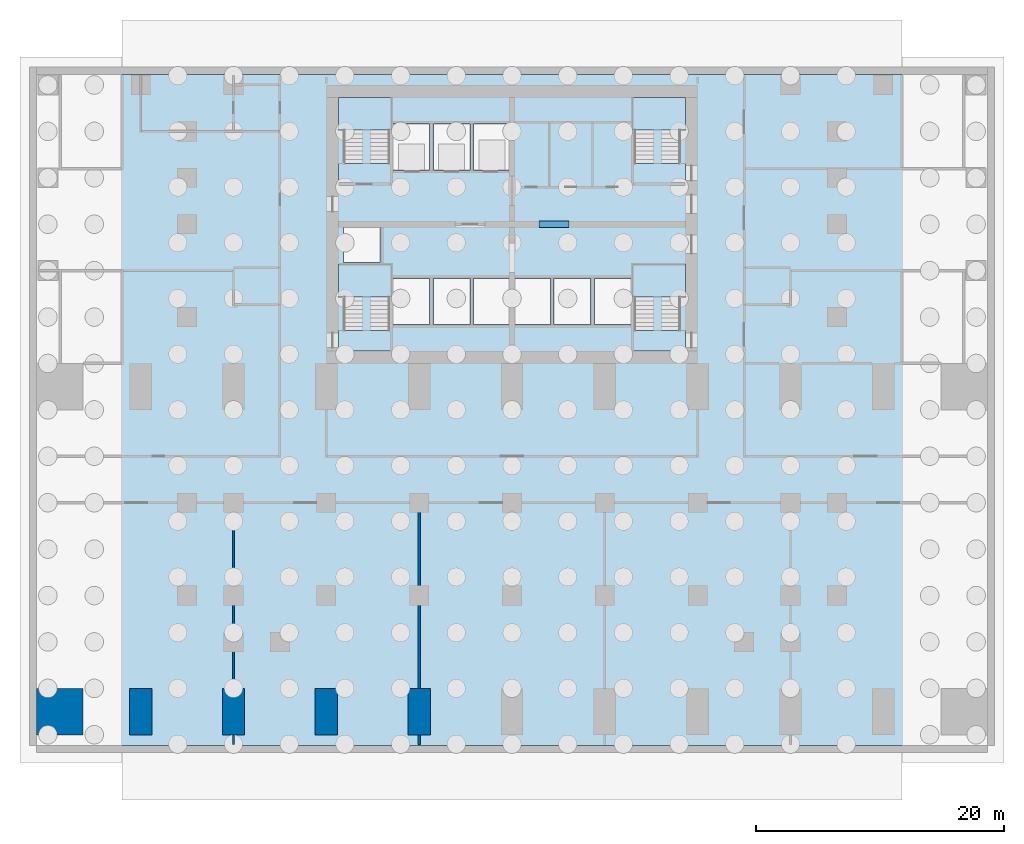
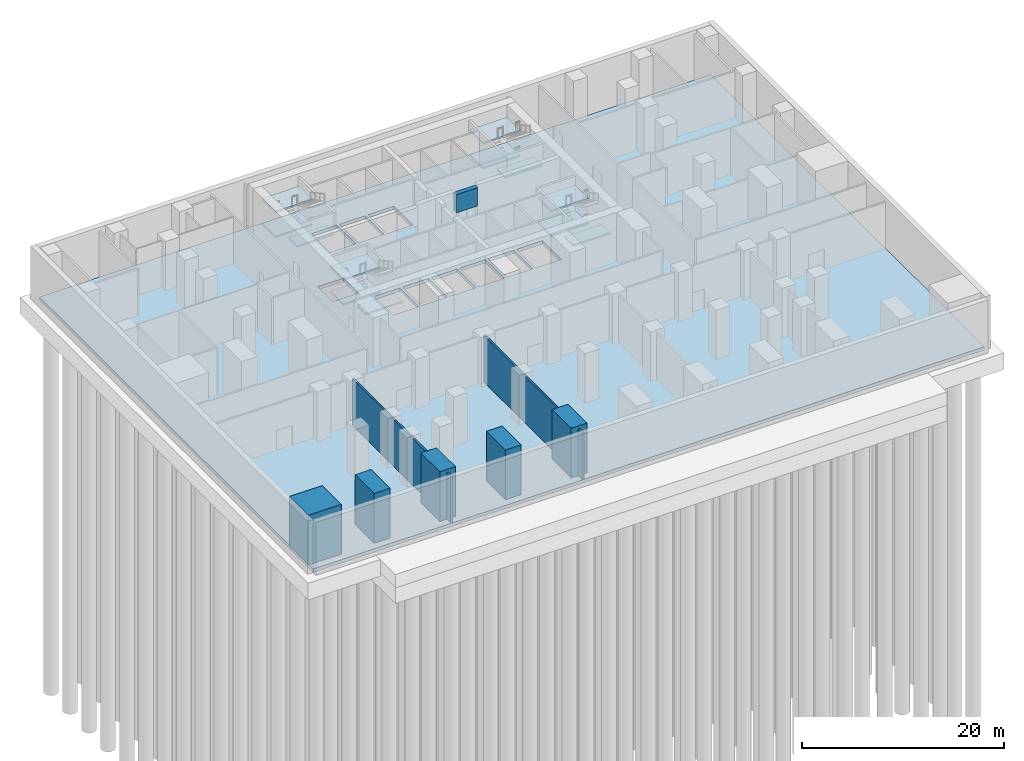
# One storey, part 2 of 9: 13 slabs, 9 walls, 1 beam, 4 elements without a shape of their own.
"""IFC4 building model written with IfcOpenShell, lengths in metres."""

from ifc_helpers import new_model, si_unit, direction, frame, frame_2d, origin, origin_2d, place, context, subcontext, project, spatial, polyline, rectangle, outline, extrude, material, layer, layer_set, material_profile, profile_set, type_object, element, aggregate, save


model = new_model("IFC4")

# Units and contexts
model_context = context("Model", 3, precision=1e-05, world=origin(), true_north=direction((0.0, 1.0)))
body_context = subcontext(model_context, "Body", "Model", "MODEL_VIEW")
ifc_project = project(units=[si_unit("LENGTHUNIT", "METRE"), si_unit("AREAUNIT", "SQUARE_METRE"), si_unit("VOLUMEUNIT", "CUBIC_METRE"), si_unit("PLANEANGLEUNIT", "RADIAN"), si_unit("MASSUNIT", "GRAM", prefix="KILO")], contexts=[model_context])

# Site, building, storey
site_placement = place(None, origin())
site = spatial("IfcSite", under=ifc_project, at=site_placement, CompositionType="ELEMENT")
building_placement = place(site_placement, origin())
building = spatial("IfcBuilding", under=site, at=building_placement, Name="Pilkhan Gate Tower", CompositionType="ELEMENT")
storey_placement = place(building_placement, frame((0.0, 0.0, -6.0)))
storey = spatial("IfcBuildingStorey", under=building, at=storey_placement, Name="B1", CompositionType="ELEMENT", Elevation=-6.0)

# Beam
ifc_material_1 = material(Name="Concrete C70/85", Category="concrete")
ifc_material_profile = material_profile(ifc_material_1, rectangle(XDim=0.5, YDim=2.199951171875, at=origin_2d()), Name="RC 500x2200")
ifc_profile_set = profile_set([ifc_material_profile], Name="Concrete C70/85")
beam_type = type_object("IfcBeamType", Name="Coupling beam CB220 RC 500x2200 C70/85", PredefinedType="LINTEL", material=ifc_profile_set)
beam_placement = place(storey_placement, frame((77.199951171875, 82.5, 4.550048828125), z_axis=(1.0, 0.0, 0.0), x_axis=(0.0, 1.0, 0.0)))
element("IfcBeam", 1, at=beam_placement, inside=storey, type_object=beam_type, Name="Coupling beam 2 B1", PredefinedType="LINTEL", context=body_context, shape_type="SweptSolid", body=[
    extrude(rectangle(XDim=0.5, YDim=2.199951171875, at=origin_2d()), origin(), (0.0, 0.0, 1.0), 2.400146484375),
])

# Slab
ifc_material_2 = material(Name="Concrete C40/50", Category="concrete")
ifc_layer_1 = layer(ifc_material_2, 0.39990234375)
ifc_layer_set_1 = layer_set([ifc_layer_1], Name="Basement slab BA400")
slab_type_1 = type_object("IfcSlabType", Name="Basement slab BA400", PredefinedType="BASESLAB", material=ifc_layer_set_1)
slab_1_placement = place(storey_placement, frame((0.0, 0.0, -0.39990234375)))
element("IfcSlab", 2, at=slab_1_placement, inside=storey, type_object=slab_type_1, Name="Basement slab", PredefinedType="BASESLAB", context=body_context, shape_type="SweptSolid", body=[
    extrude(outline(polyline([(113.35009765625, 40.39990234375), (113.35009765625, 94.60009765625), (36.64990234375, 94.60009765625), (36.64990234375, 40.39990234375), (113.35009765625, 40.39990234375)]), holes=[polyline([(65.39990234375, 74.39990234375), (68.35009765625, 74.39990234375), (68.35009765625, 78.10009765625), (65.39990234375, 78.10009765625), (65.39990234375, 74.39990234375)]), polyline([(68.64990234375, 74.39990234375), (71.60009765625, 74.39990234375), (71.60009765625, 78.10009765625), (68.64990234375, 78.10009765625), (68.64990234375, 74.39990234375)]), polyline([(71.89990234375, 74.39990234375), (74.85009765625, 74.39990234375), (74.85009765625, 78.10009765625), (71.89990234375, 78.10009765625), (71.89990234375, 74.39990234375)]), polyline([(75.14990234375, 74.39990234375), (78.10009765625, 74.39990234375), (78.10009765625, 78.10009765625), (75.14990234375, 78.10009765625), (75.14990234375, 74.39990234375)]), polyline([(78.39990234375, 74.39990234375), (81.35009765625, 74.39990234375), (81.35009765625, 78.10009765625), (78.39990234375, 78.10009765625), (78.39990234375, 74.39990234375)]), polyline([(81.64990234375, 74.39990234375), (84.60009765625, 74.39990234375), (84.60009765625, 78.10009765625), (81.64990234375, 78.10009765625), (81.64990234375, 74.39990234375)]), polyline([(65.39990234375, 86.89990234375), (68.35009765625, 86.89990234375), (68.35009765625, 90.60009765625), (65.39990234375, 90.60009765625), (65.39990234375, 86.89990234375)]), polyline([(68.64990234375, 86.89990234375), (71.60009765625, 86.89990234375), (71.60009765625, 90.60009765625), (68.64990234375, 90.60009765625), (68.64990234375, 86.89990234375)]), polyline([(71.89990234375, 86.89990234375), (74.85009765625, 86.89990234375), (74.85009765625, 90.60009765625), (71.89990234375, 90.60009765625), (71.89990234375, 86.89990234375)]), polyline([(61.39990234375, 79.39990234375), (64.35009765625, 79.39990234375), (64.35009765625, 82.35009765625), (61.39990234375, 82.35009765625), (61.39990234375, 79.39990234375)])]), origin(), (0.0, 0.0, 1.0), 0.39990234375),
])

# Stair, slabs
ifc_material_3 = material(Name="Concrete C40/50 precast", Category="concrete")
stair_type_1 = type_object("IfcStairType", Name="Stair ST1 167x340", PredefinedType="HALF_TURN_STAIR", material=ifc_material_3)
stair_1_placement = place(storey_placement, origin())
stair_1 = element("IfcStair", 3, at=stair_1_placement, inside=storey, type_object=stair_type_1, Name="Stair ST1 B1", PredefinedType="HALF_TURN_STAIR")
ifc_layer_2 = layer(ifc_material_2, 0.199951171875)
ifc_layer_set_2 = layer_set([ifc_layer_2], Name="Stair landing SL200")
slab_type_2 = type_object("IfcSlabType", Name="Stair landing SL200", PredefinedType="LANDING", material=ifc_layer_set_2)
slab_2_placement = place(storey_placement, frame((0.0, 0.0, 1.300048828125)))
slab_2 = element("IfcSlab", 4, at=slab_2_placement, type_object=slab_type_2, Name="ST1 landing 1", PredefinedType="LANDING", context=body_context, shape_type="SweptSolid", body=[
    extrude(outline(polyline([(89.0, 76.6201171875), (89.0, 79.25), (84.75, 79.25), (84.75, 76.6201171875), (89.0, 76.6201171875)])), origin(), (0.0, 0.0, 1.0), 0.199951171875),
])
slab_3_placement = place(storey_placement, frame((0.0, 0.0, 2.800048828125)))
slab_3 = element("IfcSlab", 5, at=slab_3_placement, type_object=slab_type_2, Name="ST1 landing 2", PredefinedType="LANDING", context=body_context, shape_type="SweptSolid", body=[
    extrude(outline(polyline([(89.0, 72.25), (89.0, 73.89990234375), (84.75, 73.89990234375), (84.75, 72.25), (89.0, 72.25)])), origin(), (0.0, 0.0, 1.0), 0.199951171875),
])
slab_4_placement = place(storey_placement, frame((0.0, 0.0, 4.300048828125)))
slab_4 = element("IfcSlab", 6, at=slab_4_placement, type_object=slab_type_2, Name="ST1 landing 3", PredefinedType="LANDING", context=body_context, shape_type="SweptSolid", body=[
    extrude(outline(polyline([(89.0, 76.6201171875), (89.0, 79.25), (84.75, 79.25), (84.75, 76.6201171875), (89.0, 76.6201171875)])), origin(), (0.0, 0.0, 1.0), 0.199951171875),
])
aggregate(stair_1, [slab_2, slab_3, slab_4])

stair_type_2 = type_object("IfcStairType", Name="Stair ST2 167x340", PredefinedType="HALF_TURN_STAIR", material=ifc_material_3)
stair_2_placement = place(storey_placement, origin())
stair_2 = element("IfcStair", 7, at=stair_2_placement, inside=storey, type_object=stair_type_2, Name="Stair ST2 B1", PredefinedType="HALF_TURN_STAIR")
slab_5_placement = place(storey_placement, frame((0.0, 0.0, 1.300048828125)))
slab_5 = element("IfcSlab", 8, at=slab_5_placement, type_object=slab_type_2, Name="ST2 landing 1", PredefinedType="LANDING", context=body_context, shape_type="SweptSolid", body=[
    extrude(outline(polyline([(65.25, 76.6201171875), (65.25, 79.25), (61.0, 79.25), (61.0, 76.6201171875), (65.25, 76.6201171875)])), origin(), (0.0, 0.0, 1.0), 0.199951171875),
])
slab_6_placement = place(storey_placement, frame((0.0, 0.0, 2.800048828125)))
slab_6 = element("IfcSlab", 9, at=slab_6_placement, type_object=slab_type_2, Name="ST2 landing 2", PredefinedType="LANDING", context=body_context, shape_type="SweptSolid", body=[
    extrude(outline(polyline([(65.25, 72.25), (65.25, 73.89990234375), (61.0, 73.89990234375), (61.0, 72.25), (65.25, 72.25)])), origin(), (0.0, 0.0, 1.0), 0.199951171875),
])
slab_7_placement = place(storey_placement, frame((0.0, 0.0, 4.300048828125)))
slab_7 = element("IfcSlab", 10, at=slab_7_placement, type_object=slab_type_2, Name="ST2 landing 3", PredefinedType="LANDING", context=body_context, shape_type="SweptSolid", body=[
    extrude(outline(polyline([(65.25, 76.6201171875), (65.25, 79.25), (61.0, 79.25), (61.0, 76.6201171875), (65.25, 76.6201171875)])), origin(), (0.0, 0.0, 1.0), 0.199951171875),
])
aggregate(stair_2, [slab_5, slab_6, slab_7])

stair_type_3 = type_object("IfcStairType", Name="Stair ST3 167x340", PredefinedType="HALF_TURN_STAIR", material=ifc_material_3)
stair_3_placement = place(storey_placement, origin())
stair_3 = element("IfcStair", 11, at=stair_3_placement, inside=storey, type_object=stair_type_3, Name="Stair ST3 B1", PredefinedType="HALF_TURN_STAIR")
slab_8_placement = place(storey_placement, frame((0.0, 0.0, 1.300048828125)))
slab_8 = element("IfcSlab", 12, at=slab_8_placement, type_object=slab_type_2, Name="ST3 landing 1", PredefinedType="LANDING", context=body_context, shape_type="SweptSolid", body=[
    extrude(outline(polyline([(65.25, 90.1201171875), (65.25, 92.75), (61.0, 92.75), (61.0, 90.1201171875), (65.25, 90.1201171875)])), origin(), (0.0, 0.0, 1.0), 0.199951171875),
])
slab_9_placement = place(storey_placement, frame((0.0, 0.0, 2.800048828125)))
slab_9 = element("IfcSlab", 13, at=slab_9_placement, type_object=slab_type_2, Name="ST3 landing 2", PredefinedType="LANDING", context=body_context, shape_type="SweptSolid", body=[
    extrude(outline(polyline([(65.25, 85.75), (65.25, 87.39990234375), (61.0, 87.39990234375), (61.0, 85.75), (65.25, 85.75)])), origin(), (0.0, 0.0, 1.0), 0.199951171875),
])
slab_10_placement = place(storey_placement, frame((0.0, 0.0, 4.300048828125)))
slab_10 = element("IfcSlab", 14, at=slab_10_placement, type_object=slab_type_2, Name="ST3 landing 3", PredefinedType="LANDING", context=body_context, shape_type="SweptSolid", body=[
    extrude(outline(polyline([(65.25, 90.1201171875), (65.25, 92.75), (61.0, 92.75), (61.0, 90.1201171875), (65.25, 90.1201171875)])), origin(), (0.0, 0.0, 1.0), 0.199951171875),
])
aggregate(stair_3, [slab_8, slab_9, slab_10])

stair_type_4 = type_object("IfcStairType", Name="Stair ST4 167x340", PredefinedType="HALF_TURN_STAIR", material=ifc_material_3)
stair_4_placement = place(storey_placement, origin())
stair_4 = element("IfcStair", 15, at=stair_4_placement, inside=storey, type_object=stair_type_4, Name="Stair ST4 B1", PredefinedType="HALF_TURN_STAIR")
slab_11_placement = place(storey_placement, frame((0.0, 0.0, 1.300048828125)))
slab_11 = element("IfcSlab", 16, at=slab_11_placement, type_object=slab_type_2, Name="ST4 landing 1", PredefinedType="LANDING", context=body_context, shape_type="SweptSolid", body=[
    extrude(outline(polyline([(89.0, 90.1201171875), (89.0, 92.75), (84.75, 92.75), (84.75, 90.1201171875), (89.0, 90.1201171875)])), origin(), (0.0, 0.0, 1.0), 0.199951171875),
])
slab_12_placement = place(storey_placement, frame((0.0, 0.0, 2.800048828125)))
slab_12 = element("IfcSlab", 17, at=slab_12_placement, type_object=slab_type_2, Name="ST4 landing 2", PredefinedType="LANDING", context=body_context, shape_type="SweptSolid", body=[
    extrude(outline(polyline([(89.0, 85.75), (89.0, 87.39990234375), (84.75, 87.39990234375), (84.75, 85.75), (89.0, 85.75)])), origin(), (0.0, 0.0, 1.0), 0.199951171875),
])
slab_13_placement = place(storey_placement, frame((0.0, 0.0, 4.300048828125)))
slab_13 = element("IfcSlab", 18, at=slab_13_placement, type_object=slab_type_2, Name="ST4 landing 3", PredefinedType="LANDING", context=body_context, shape_type="SweptSolid", body=[
    extrude(outline(polyline([(89.0, 90.1201171875), (89.0, 92.75), (84.75, 92.75), (84.75, 90.1201171875), (89.0, 90.1201171875)])), origin(), (0.0, 0.0, 1.0), 0.199951171875),
])
aggregate(stair_4, [slab_11, slab_12, slab_13])

# Walls
ifc_layer_3 = layer(ifc_material_1, 1.800048828125)
ifc_layer_set_3 = layer_set([ifc_layer_3], Name="Arch pier AP1800 C70/85")
wall_type_1 = type_object("IfcWallType", Name="Arch pier AP1800 C70/85", PredefinedType="SHEAR", material=ifc_layer_set_3)
for number, where, z_axis, x_axis, name in (
    (19, (45.0, 41.25, 0.0), (0.0, 0.0, 1.0), (0.0, 1.0, 0.0), "Arch pier S-4 B1"),
    (20, (52.5, 41.25, 0.0), (0.0, 0.0, 1.0), (0.0, 1.0, 0.0), "Arch pier S-3 B1"),
    (21, (60.0, 41.25, 0.0), (0.0, 0.0, 1.0), (0.0, 1.0, 0.0), "Arch pier S-2 B1"),
    (22, (67.5, 41.25, 0.0), (0.0, 0.0, 1.0), (0.0, 1.0, 0.0), "Arch pier S-1 B1"),
):
    element("IfcWall", number, at=place(storey_placement, frame(where, z_axis=z_axis, x_axis=x_axis)), inside=storey, type_object=wall_type_1, Name=name, PredefinedType="SHEAR", context=body_context, shape_type="SweptSolid", body=[
        extrude(rectangle(XDim=3.75, YDim=1.800048828125, at=frame_2d((1.875, 0.0))), origin(), (0.0, 0.0, 1.0), 6.0),
    ])
ifc_layer_4 = layer(ifc_material_1, 3.75)
ifc_layer_set_4 = layer_set([ifc_layer_4], Name="Arch pier AP3750 C70/85")
wall_type_2 = type_object("IfcWallType", Name="Arch pier AP3750 C70/85", PredefinedType="SHEAR", material=ifc_layer_set_4)
wall_1_placement = place(storey_placement, frame((38.47509765625, 41.25, 0.0), z_axis=(0.0, 0.0, 1.0), x_axis=(0.0, 1.0, 0.0)))
element("IfcWall", 23, at=wall_1_placement, inside=storey, type_object=wall_type_2, Name="Arch pier S-5 B1", PredefinedType="SHEAR", context=body_context, shape_type="SweptSolid", body=[
    extrude(rectangle(XDim=3.75, YDim=3.75, at=frame_2d((1.875, 0.0))), origin(), (0.0, 0.0, 1.0), 6.0),
])
ifc_material_4 = material(Name="Dense blockwork", Category="masonry")
ifc_layer_5 = layer(ifc_material_4, 0.199951171875)
ifc_layer_set_5 = layer_set([ifc_layer_5], Name="Lobby wall LW200")
wall_type_3 = type_object("IfcWallType", Name="Lobby wall LW200", PredefinedType="PARTITIONING", material=ifc_layer_set_5)
wall_2_placement = place(storey_placement, frame((52.5, 40.485107421875, 0.0), z_axis=(0.0, 0.0, 1.0), x_axis=(0.0, 1.0, 0.0)))
element("IfcWall", 24, at=wall_2_placement, inside=storey, type_object=wall_type_3, Name="Partition B1", PredefinedType="PARTITIONING", context=body_context, shape_type="SweptSolid", body=[
    extrude(rectangle(XDim=0.7548828125, YDim=0.199951171875, at=frame_2d((0.37744140625, 0.0))), origin(), (0.0, 0.0, 1.0), 5.64990234375),
])
wall_3_placement = place(storey_placement, frame((52.5, 45.010009765625, 0.0), z_axis=(0.0, 0.0, 1.0), x_axis=(0.0, 1.0, 0.0)))
element("IfcWall", 25, at=wall_3_placement, inside=storey, type_object=wall_type_3, Name="Partition B1", PredefinedType="PARTITIONING", context=body_context, shape_type="SweptSolid", body=[
    extrude(rectangle(XDim=14.889892578125, YDim=0.199951171875, at=frame_2d((7.44482421875, 0.0))), origin(), (0.0, 0.0, 1.0), 5.64990234375),
])
wall_4_placement = place(storey_placement, frame((67.5, 40.485107421875, 0.0), z_axis=(0.0, 0.0, 1.0), x_axis=(0.0, 1.0, 0.0)))
element("IfcWall", 26, at=wall_4_placement, inside=storey, type_object=wall_type_3, Name="Partition B1", PredefinedType="PARTITIONING", context=body_context, shape_type="SweptSolid", body=[
    extrude(rectangle(XDim=0.7548828125, YDim=0.199951171875, at=frame_2d((0.37744140625, 0.0))), origin(), (0.0, 0.0, 1.0), 5.64990234375),
])
wall_5_placement = place(storey_placement, frame((67.5, 45.010009765625, 0.0), z_axis=(0.0, 0.0, 1.0), x_axis=(0.0, 1.0, 0.0)))
element("IfcWall", 27, at=wall_5_placement, inside=storey, type_object=wall_type_3, Name="Partition B1", PredefinedType="PARTITIONING", context=body_context, shape_type="SweptSolid", body=[
    extrude(rectangle(XDim=14.889892578125, YDim=0.199951171875, at=frame_2d((7.44482421875, 0.0))), origin(), (0.0, 0.0, 1.0), 5.64990234375),
])

save(model, "model.ifc")
